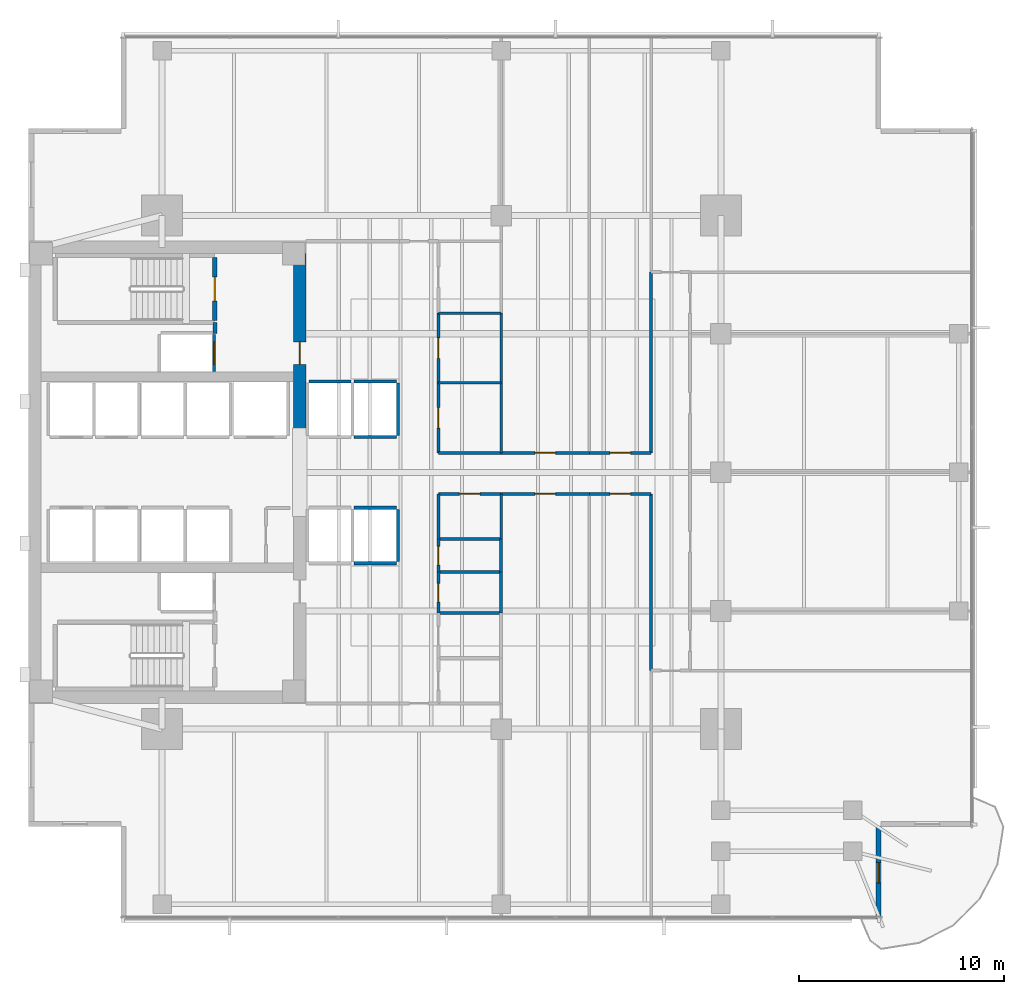
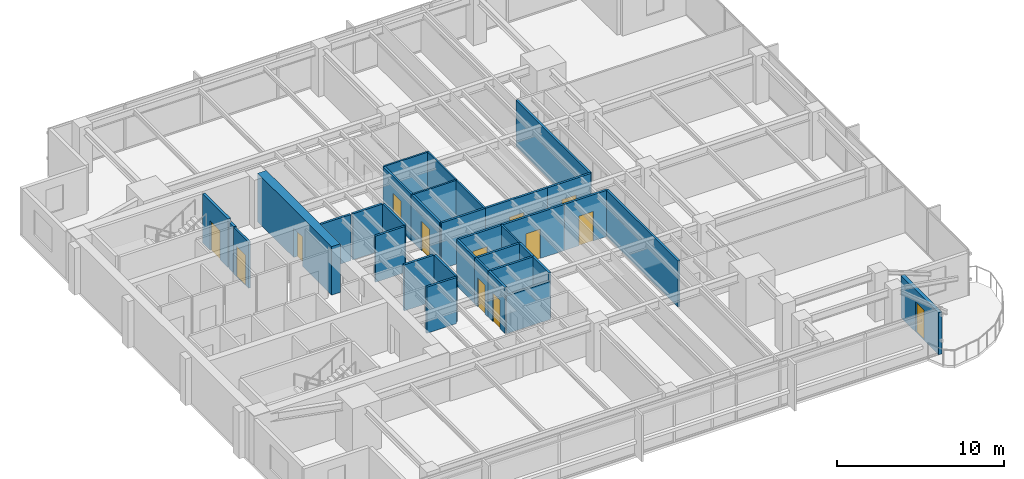
# One storey, part 9 of 14: 35 walls, 13 doors, 13 openings.
"""IFC4 building model written with IfcOpenShell, lengths in metres."""

from ifc_helpers import new_model, si_unit, direction, frame, frame_2d, origin, place, context, subcontext, project, spatial, rectangle, extrude, material, layer, layer_set, type_object, element, fill, save


model = new_model("IFC4")

# Units and contexts
model_context = context("Model", 3, precision=1e-05, world=origin(), true_north=direction((0.0, 1.0)))
body_context = subcontext(model_context, "Body", "Model", "MODEL_VIEW")
ifc_project = project(units=[si_unit("LENGTHUNIT", "METRE"), si_unit("AREAUNIT", "SQUARE_METRE"), si_unit("VOLUMEUNIT", "CUBIC_METRE"), si_unit("PLANEANGLEUNIT", "RADIAN"), si_unit("MASSUNIT", "GRAM", prefix="KILO")], contexts=[model_context])

# Site, building, storey
site_placement = place(None, origin())
site = spatial("IfcSite", under=ifc_project, at=site_placement, CompositionType="ELEMENT")
building_placement = place(site_placement, origin())
building = spatial("IfcBuilding", under=site, at=building_placement, Name="Kinhvarn Gate Tower", CompositionType="ELEMENT")
storey_placement = place(building_placement, frame((0.0, 0.0, 102.25)))
storey = spatial("IfcBuildingStorey", under=building, at=storey_placement, Name="L26", CompositionType="ELEMENT", Elevation=102.25)

# Wall, opening, door
ifc_material_1 = material(Name="Concrete C60/75", Category="concrete")
ifc_layer_1 = layer(ifc_material_1, 0.60009765625)
ifc_layer_set_1 = layer_set([ifc_layer_1], Name="Concrete C60/75")
wall_type_1 = type_object("IfcWallType", Name="WL-CORE-600", PredefinedType="SHEAR", material=ifc_layer_set_1)
wall_1_placement = place(storey_placement, frame((17.699951171875, 27.050048828125, 0.0), z_axis=(0.0, 0.0, 1.0), x_axis=(0.0, 1.0, 0.0)))
wall_1 = element("IfcWall", 1, at=wall_1_placement, inside=storey, type_object=wall_type_1, Name="Core East-North Shear Pier L26 600 mm", PredefinedType="SHEAR", context=body_context, shape_type="SweptSolid", body=[
    extrude(rectangle(XDim=8.849853515625, YDim=0.60009765625, at=frame_2d((4.4248046875, 0.0))), origin(), (0.0, 0.0, 1.0), 3.550048828125),
])
opening_1_placement = place(wall_1_placement, frame((3.449951171875, 0.0, 0.0)))
opening_1 = element("IfcOpeningElement", 2, at=opening_1_placement, cuts=wall_1, Name="Opening FD-02", PredefinedType="OPENING", context=body_context, shape_type="SweptSolid", body=[
    extrude(rectangle(XDim=1.10009765625, YDim=2.14990234375, at=frame_2d((0.550048828125, 1.074951171875))), frame((0.0, 0.31005859375, 0.0), z_axis=(0.0, -1.0, 0.0), x_axis=(1.0, 0.0, 0.0)), (0.0, 0.0, 1.0), 0.6201171875),
])
ifc_material_2 = material(Name="Anodised aluminium AW-6063", Category="aluminium")
door_type_1 = type_object("IfcDoorType", Name="DR-FD-1100", OperationType="NOTDEFINED", PredefinedType="DOOR", material=ifc_material_2)
door_1_placement = place(opening_1_placement, origin())
door_1 = element("IfcDoor", 3, at=door_1_placement, inside=storey, type_object=door_type_1, Name="Firefighting Lobby Core Door (L26)", OperationType="SINGLE_SWING_LEFT", OverallHeight=2.14990234375, OverallWidth=1.10009765625, PredefinedType="DOOR", context=body_context, shape_type="SweptSolid", body=[
    extrude(rectangle(XDim=1.10009765625, YDim=2.14990234375, at=frame_2d((0.550048828125, 1.074951171875))), frame((0.0, 0.02490234375, 0.0), z_axis=(0.0, -1.0, 0.0), x_axis=(1.0, 0.0, 0.0)), (0.0, 0.0, 1.0), 0.050048828125),
])
fill(opening_1, door_1)

ifc_material_3 = material(Name="Fired architectural terracotta", Category="masonry")
ifc_layer_2 = layer(ifc_material_3, 0.25)
ifc_layer_set_2 = layer_set([ifc_layer_2], Name="Fired architectural terracotta")
wall_type_2 = type_object("IfcWallType", Name="WL-EXT-250", PredefinedType="SOLIDWALL", material=ifc_layer_set_2)
wall_2_placement = place(storey_placement, frame((45.875, 3.5, 0.0), z_axis=(0.0, 0.0, 1.0), x_axis=(0.0, 1.0, 0.0)))
wall_2 = element("IfcWall", 4, at=wall_2_placement, inside=storey, type_object=wall_type_2, Name="Exterior Solidwall Wall EW-250 (L26 SE-Notch-Door)", PredefinedType="SOLIDWALL", context=body_context, shape_type="SweptSolid", body=[
    extrude(rectangle(XDim=4.5, YDim=0.25, at=frame_2d((2.25, 0.0))), origin(), (0.0, 0.0, 1.0), 3.070068359375),
])
opening_2_placement = place(wall_2_placement, frame((1.75, 0.0, 0.0)))
opening_2 = element("IfcOpeningElement", 5, at=opening_2_placement, cuts=wall_2, Name="Opening BD-01", PredefinedType="OPENING", context=body_context, shape_type="SweptSolid", body=[
    extrude(rectangle(XDim=1.0, YDim=2.199951171875, at=frame_2d((0.5, 1.10009765625))), frame((0.0, 0.135009765625, 0.0), z_axis=(0.0, -1.0, 0.0), x_axis=(1.0, 0.0, 0.0)), (0.0, 0.0, 1.0), 0.27001953125),
])
ifc_material_4 = material(Name="Clear low-e double glazing", Category="glass")
door_type_2 = type_object("IfcDoorType", Name="DR-BAL-1000", OperationType="NOTDEFINED", PredefinedType="DOOR", material=ifc_material_4)
door_2_placement = place(opening_2_placement, frame((1.0, 0.0, 0.0), z_axis=(0.0, 0.0, 1.0), x_axis=(-1.0, 0.0, 0.0)))
door_2 = element("IfcDoor", 6, at=door_2_placement, inside=storey, type_object=door_type_2, Name="S-Carve Balcony Door BD-01 (L26)", OperationType="SINGLE_SWING_LEFT", OverallHeight=2.199951171875, OverallWidth=1.0, PredefinedType="DOOR", context=body_context, shape_type="SweptSolid", body=[
    extrude(rectangle(XDim=1.0, YDim=2.199951171875, at=frame_2d((0.5, 1.10009765625))), frame((0.0, 0.02490234375, 0.0), z_axis=(0.0, -1.0, 0.0), x_axis=(1.0, 0.0, 0.0)), (0.0, 0.0, 1.0), 0.050048828125),
])
fill(opening_2, door_2)

# Walls
ifc_material_5 = material(Name="Gypsum acoustic partition board")
ifc_layer_3 = layer(ifc_material_5, 0.14990234375)
ifc_layer_set_3 = layer_set([ifc_layer_3], Name="Gypsum acoustic partition board")
wall_type_3 = type_object("IfcWallType", Name="WL-PLM-150", PredefinedType="PLUMBINGWALL", material=ifc_layer_set_3)
wall_3_placement = place(storey_placement, frame((24.449951171875, 18.39990234375, 0.0), z_axis=(0.0, 0.0, 1.0), x_axis=(1.0, 0.0, 0.0)))
element("IfcWall", 7, at=wall_3_placement, inside=storey, type_object=wall_type_3, Name="Interior Partition PLW-150 (L26)", PredefinedType="PLUMBINGWALL", context=body_context, shape_type="SweptSolid", body=[
    extrude(rectangle(XDim=3.050048828125, YDim=0.14990234375, at=frame_2d((1.52490234375, 0.0))), origin(), (0.0, 0.0, 1.0), 2.77001953125),
])
wall_4_placement = place(storey_placement, frame((24.449951171875, 20.39990234375, 0.0), z_axis=(0.0, 0.0, 1.0), x_axis=(1.0, 0.0, 0.0)))
element("IfcWall", 8, at=wall_4_placement, inside=storey, type_object=wall_type_3, Name="Interior Partition PLW-150 (L26)", PredefinedType="PLUMBINGWALL", context=body_context, shape_type="SweptSolid", body=[
    extrude(rectangle(XDim=3.050048828125, YDim=0.14990234375, at=frame_2d((1.52490234375, 0.0))), origin(), (0.0, 0.0, 1.0), 3.3701171875),
])
wall_5_placement = place(storey_placement, frame((27.5, 18.39990234375, 0.0), z_axis=(0.0, 0.0, 1.0), x_axis=(0.0, 1.0, 0.0)))
element("IfcWall", 9, at=wall_5_placement, inside=storey, type_object=wall_type_3, Name="Interior Partition PLW-150 (L26)", PredefinedType="PLUMBINGWALL", context=body_context, shape_type="SweptSolid", body=[
    extrude(rectangle(XDim=2.0, YDim=0.14990234375, at=frame_2d((1.0, 0.0))), origin(), (0.0, 0.0, 1.0), 3.3701171875),
])
wall_6_placement = place(storey_placement, frame((24.449951171875, 22.0, 0.0), z_axis=(0.0, 0.0, 1.0), x_axis=(1.0, 0.0, 0.0)))
element("IfcWall", 10, at=wall_6_placement, inside=storey, type_object=wall_type_3, Name="Interior Partition PLW-150 (L26)", PredefinedType="PLUMBINGWALL", context=body_context, shape_type="SweptSolid", body=[
    extrude(rectangle(XDim=3.050048828125, YDim=0.14990234375, at=frame_2d((1.52490234375, 0.0))), origin(), (0.0, 0.0, 1.0), 3.3701171875),
])
wall_7_placement = place(storey_placement, frame((27.5, 20.39990234375, 0.0), z_axis=(0.0, 0.0, 1.0), x_axis=(0.0, 1.0, 0.0)))
element("IfcWall", 11, at=wall_7_placement, inside=storey, type_object=wall_type_3, Name="Interior Partition PLW-150 (L26)", PredefinedType="PLUMBINGWALL", context=body_context, shape_type="SweptSolid", body=[
    extrude(rectangle(XDim=1.60009765625, YDim=0.14990234375, at=frame_2d((0.800048828125, 0.0))), origin(), (0.0, 0.0, 1.0), 3.3701171875),
])

# Wall, opening, door
ifc_layer_4 = layer(ifc_material_5, 0.14990234375)
ifc_layer_set_4 = layer_set([ifc_layer_4], Name="Gypsum acoustic partition board")
wall_type_4 = type_object("IfcWallType", Name="WL-PLM-150F", PredefinedType="PLUMBINGWALL", material=ifc_layer_set_4)
wall_8_placement = place(storey_placement, frame((24.449951171875, 18.39990234375, 0.0), z_axis=(0.0, 0.0, 1.0), x_axis=(0.0, 1.0, 0.0)))
wall_8 = element("IfcWall", 12, at=wall_8_placement, inside=storey, type_object=wall_type_4, Name="Interior Partition PLW-150F (L26)", PredefinedType="PLUMBINGWALL", context=body_context, shape_type="SweptSolid", body=[
    extrude(rectangle(XDim=2.0, YDim=0.14990234375, at=frame_2d((1.0, 0.0))), origin(), (0.0, 0.0, 1.0), 3.3701171875),
])
opening_3_placement = place(wall_8_placement, frame((0.550048828125, 0.0, 0.0)))
opening_3 = element("IfcOpeningElement", 13, at=opening_3_placement, cuts=wall_8, Name="Opening FD-04", PredefinedType="OPENING", context=body_context, shape_type="SweptSolid", body=[
    extrude(rectangle(XDim=0.89990234375, YDim=2.10009765625, at=frame_2d((0.449951171875, 1.050048828125))), frame((0.0, 0.0849609375, 0.0), z_axis=(0.0, -1.0, 0.0), x_axis=(1.0, 0.0, 0.0)), (0.0, 0.0, 1.0), 0.169921875),
])
door_type_3 = type_object("IfcDoorType", Name="DR-FD-900", OperationType="NOTDEFINED", PredefinedType="DOOR", material=ifc_material_2)
door_3_placement = place(opening_3_placement, origin())
door_3 = element("IfcDoor", 14, at=door_3_placement, inside=storey, type_object=door_type_3, Name="Rated Riser & Service Closet Fire Door 900x2100 mm (L26)", OperationType="SINGLE_SWING_RIGHT", OverallHeight=2.10009765625, OverallWidth=0.89990234375, PredefinedType="DOOR", context=body_context, shape_type="SweptSolid", body=[
    extrude(rectangle(XDim=0.89990234375, YDim=2.10009765625, at=frame_2d((0.449951171875, 1.050048828125))), frame((0.0, 0.02490234375, 0.0), z_axis=(0.0, -1.0, 0.0), x_axis=(1.0, 0.0, 0.0)), (0.0, 0.0, 1.0), 0.050048828125),
])
fill(opening_3, door_3)

wall_9_placement = place(storey_placement, frame((24.449951171875, 20.39990234375, 0.0), z_axis=(0.0, 0.0, 1.0), x_axis=(0.0, 1.0, 0.0)))
wall_9 = element("IfcWall", 15, at=wall_9_placement, inside=storey, type_object=wall_type_4, Name="Interior Partition PLW-150F (L26)", PredefinedType="PLUMBINGWALL", context=body_context, shape_type="SweptSolid", body=[
    extrude(rectangle(XDim=1.60009765625, YDim=0.14990234375, at=frame_2d((0.800048828125, 0.0))), origin(), (0.0, 0.0, 1.0), 3.3701171875),
])
opening_4_placement = place(wall_9_placement, frame((0.35009765625, 0.0, 0.0)))
opening_4 = element("IfcOpeningElement", 16, at=opening_4_placement, cuts=wall_9, Name="Opening FD-04", PredefinedType="OPENING", context=body_context, shape_type="SweptSolid", body=[
    extrude(rectangle(XDim=0.89990234375, YDim=2.10009765625, at=frame_2d((0.449951171875, 1.050048828125))), frame((0.0, 0.0849609375, 0.0), z_axis=(0.0, -1.0, 0.0), x_axis=(1.0, 0.0, 0.0)), (0.0, 0.0, 1.0), 0.169921875),
])
door_4_placement = place(opening_4_placement, origin())
door_4 = element("IfcDoor", 17, at=door_4_placement, inside=storey, type_object=door_type_3, Name="Rated Riser & Service Closet Fire Door 900x2100 mm (L26)", OperationType="SINGLE_SWING_LEFT", OverallHeight=2.10009765625, OverallWidth=0.89990234375, PredefinedType="DOOR", context=body_context, shape_type="SweptSolid", body=[
    extrude(rectangle(XDim=0.89990234375, YDim=2.10009765625, at=frame_2d((0.449951171875, 1.050048828125))), frame((0.0, 0.02490234375, 0.0), z_axis=(0.0, -1.0, 0.0), x_axis=(1.0, 0.0, 0.0)), (0.0, 0.0, 1.0), 0.050048828125),
])
fill(opening_4, door_4)

# Walls
ifc_layer_5 = layer(ifc_material_5, 0.1201171875)
ifc_layer_set_5 = layer_set([ifc_layer_5], Name="Gypsum acoustic partition board")
wall_type_5 = type_object("IfcWallType", Name="WL-PRT-120", PredefinedType="PARTITIONING", material=ifc_layer_set_5)
wall_10_placement = place(storey_placement, frame((27.5, 22.0, 0.0), z_axis=(0.0, 0.0, 1.0), x_axis=(0.0, 1.0, 0.0)))
element("IfcWall", 18, at=wall_10_placement, inside=storey, type_object=wall_type_5, Name="Interior Partition PW-120 (L26)", PredefinedType="PARTITIONING", context=body_context, shape_type="SweptSolid", body=[
    extrude(rectangle(XDim=2.199951171875, YDim=0.1201171875, at=frame_2d((1.10009765625, 0.0))), origin(), (0.0, 0.0, 1.0), 3.3701171875),
])
wall_11_placement = place(storey_placement, frame((24.449951171875, 29.60009765625, 0.0), z_axis=(0.0, 0.0, 1.0), x_axis=(1.0, 0.0, 0.0)))
element("IfcWall", 19, at=wall_11_placement, inside=storey, type_object=wall_type_5, Name="Interior Partition PW-120 (L26)", PredefinedType="PARTITIONING", context=body_context, shape_type="SweptSolid", body=[
    extrude(rectangle(XDim=3.050048828125, YDim=0.1201171875, at=frame_2d((1.52490234375, 0.0))), origin(), (0.0, 0.0, 1.0), 3.3701171875),
])
wall_12_placement = place(storey_placement, frame((27.5, 26.199951171875, 0.0), z_axis=(0.0, 0.0, 1.0), x_axis=(0.0, 1.0, 0.0)))
element("IfcWall", 20, at=wall_12_placement, inside=storey, type_object=wall_type_5, Name="Interior Partition PW-120 (L26)", PredefinedType="PARTITIONING", context=body_context, shape_type="SweptSolid", body=[
    extrude(rectangle(XDim=3.400146484375, YDim=0.1201171875, at=frame_2d((1.7001953125, 0.0))), origin(), (0.0, 0.0, 1.0), 3.3701171875),
])
wall_13_placement = place(storey_placement, frame((24.449951171875, 33.0, 0.0), z_axis=(0.0, 0.0, 1.0), x_axis=(1.0, 0.0, 0.0)))
element("IfcWall", 21, at=wall_13_placement, inside=storey, type_object=wall_type_5, Name="Interior Partition PW-120 (L26)", PredefinedType="PARTITIONING", context=body_context, shape_type="SweptSolid", body=[
    extrude(rectangle(XDim=3.050048828125, YDim=0.1201171875, at=frame_2d((1.52490234375, 0.0))), origin(), (0.0, 0.0, 1.0), 3.3701171875),
])
wall_14_placement = place(storey_placement, frame((27.5, 29.60009765625, 0.0), z_axis=(0.0, 0.0, 1.0), x_axis=(0.0, 1.0, 0.0)))
element("IfcWall", 22, at=wall_14_placement, inside=storey, type_object=wall_type_5, Name="Interior Partition PW-120 (L26)", PredefinedType="PARTITIONING", context=body_context, shape_type="SweptSolid", body=[
    extrude(rectangle(XDim=3.39990234375, YDim=0.1201171875, at=frame_2d((1.699951171875, 0.0))), origin(), (0.0, 0.0, 1.0), 3.3701171875),
])
ifc_layer_6 = layer(ifc_material_5, 0.14990234375)
ifc_layer_set_6 = layer_set([ifc_layer_6], Name="Gypsum acoustic partition board")
wall_type_6 = type_object("IfcWallType", Name="WL-PRT-150F", PredefinedType="PARTITIONING", material=ifc_layer_set_6)
wall_15_placement = place(storey_placement, frame((24.449951171875, 22.0, 0.0), z_axis=(0.0, 0.0, 1.0), x_axis=(0.0, 1.0, 0.0)))
element("IfcWall", 23, at=wall_15_placement, inside=storey, type_object=wall_type_6, Name="Interior Partition PW-150F (L26)", PredefinedType="PARTITIONING", context=body_context, shape_type="SweptSolid", body=[
    extrude(rectangle(XDim=2.199951171875, YDim=0.14990234375, at=frame_2d((1.10009765625, 0.0))), origin(), (0.0, 0.0, 1.0), 3.3701171875),
])

# Wall, opening, door
wall_16_placement = place(storey_placement, frame((24.449951171875, 26.199951171875, 0.0), z_axis=(0.0, 0.0, 1.0), x_axis=(0.0, 1.0, 0.0)))
wall_16 = element("IfcWall", 24, at=wall_16_placement, inside=storey, type_object=wall_type_6, Name="Interior Partition PW-150F (L26)", PredefinedType="PARTITIONING", context=body_context, shape_type="SweptSolid", body=[
    extrude(rectangle(XDim=3.400146484375, YDim=0.14990234375, at=frame_2d((1.7001953125, 0.0))), origin(), (0.0, 0.0, 1.0), 3.3701171875),
])
opening_5_placement = place(wall_16_placement, frame((1.199951171875, 0.0, 0.0)))
opening_5 = element("IfcOpeningElement", 25, at=opening_5_placement, cuts=wall_16, Name="Opening ID-02", PredefinedType="OPENING", context=body_context, shape_type="SweptSolid", body=[
    extrude(rectangle(XDim=1.0, YDim=2.14990234375, at=frame_2d((0.5, 1.074951171875))), frame((0.0, 0.0849609375, 0.0), z_axis=(0.0, -1.0, 0.0), x_axis=(1.0, 0.0, 0.0)), (0.0, 0.0, 1.0), 0.169921875),
])
door_type_4 = type_object("IfcDoorType", Name="DR-INT-1000", OperationType="NOTDEFINED", PredefinedType="DOOR", material=ifc_material_2)
door_5_placement = place(opening_5_placement, origin())
door_5 = element("IfcDoor", 26, at=door_5_placement, inside=storey, type_object=door_type_4, Name="Standard Office & Meeting Room Door 1000x2150 mm (L26)", OperationType="SINGLE_SWING_RIGHT", OverallHeight=2.14990234375, OverallWidth=1.0, PredefinedType="DOOR", context=body_context, shape_type="SweptSolid", body=[
    extrude(rectangle(XDim=1.0, YDim=2.14990234375, at=frame_2d((0.5, 1.074951171875))), frame((0.0, 0.02490234375, 0.0), z_axis=(0.0, -1.0, 0.0), x_axis=(1.0, 0.0, 0.0)), (0.0, 0.0, 1.0), 0.050048828125),
])
fill(opening_5, door_5)

wall_17_placement = place(storey_placement, frame((24.449951171875, 29.60009765625, 0.0), z_axis=(0.0, 0.0, 1.0), x_axis=(0.0, 1.0, 0.0)))
wall_17 = element("IfcWall", 27, at=wall_17_placement, inside=storey, type_object=wall_type_6, Name="Interior Partition PW-150F (L26)", PredefinedType="PARTITIONING", context=body_context, shape_type="SweptSolid", body=[
    extrude(rectangle(XDim=3.39990234375, YDim=0.14990234375, at=frame_2d((1.699951171875, 0.0))), origin(), (0.0, 0.0, 1.0), 3.3701171875),
])
opening_6_placement = place(wall_17_placement, frame((1.199951171875, 0.0, 0.0)))
opening_6 = element("IfcOpeningElement", 28, at=opening_6_placement, cuts=wall_17, Name="Opening ID-02", PredefinedType="OPENING", context=body_context, shape_type="SweptSolid", body=[
    extrude(rectangle(XDim=1.0, YDim=2.14990234375, at=frame_2d((0.5, 1.074951171875))), frame((0.0, 0.0849609375, 0.0), z_axis=(0.0, -1.0, 0.0), x_axis=(1.0, 0.0, 0.0)), (0.0, 0.0, 1.0), 0.169921875),
])
door_6_placement = place(opening_6_placement, origin())
door_6 = element("IfcDoor", 29, at=door_6_placement, inside=storey, type_object=door_type_4, Name="Standard Office & Meeting Room Door 1000x2150 mm (L26)", OperationType="SINGLE_SWING_LEFT", OverallHeight=2.14990234375, OverallWidth=1.0, PredefinedType="DOOR", context=body_context, shape_type="SweptSolid", body=[
    extrude(rectangle(XDim=1.0, YDim=2.14990234375, at=frame_2d((0.5, 1.074951171875))), frame((0.0, 0.02490234375, 0.0), z_axis=(0.0, -1.0, 0.0), x_axis=(1.0, 0.0, 0.0)), (0.0, 0.0, 1.0), 0.050048828125),
])
fill(opening_6, door_6)

wall_18_placement = place(storey_placement, frame((24.449951171875, 24.199951171875, 0.0), z_axis=(0.0, 0.0, 1.0), x_axis=(1.0, 0.0, 0.0)))
wall_18 = element("IfcWall", 30, at=wall_18_placement, inside=storey, type_object=wall_type_6, Name="Interior Partition PW-150F (L26)", PredefinedType="PARTITIONING", context=body_context, shape_type="SweptSolid", body=[
    extrude(rectangle(XDim=3.050048828125, YDim=0.14990234375, at=frame_2d((1.52490234375, 0.0))), origin(), (0.0, 0.0, 1.0), 3.3701171875),
])
opening_7_placement = place(wall_18_placement, frame((1.02490234375, 0.0, 0.0)))
opening_7 = element("IfcOpeningElement", 31, at=opening_7_placement, cuts=wall_18, Name="Opening ID-02", PredefinedType="OPENING", context=body_context, shape_type="SweptSolid", body=[
    extrude(rectangle(XDim=1.0, YDim=2.14990234375, at=frame_2d((0.5, 1.074951171875))), frame((0.0, 0.0849609375, 0.0), z_axis=(0.0, -1.0, 0.0), x_axis=(1.0, 0.0, 0.0)), (0.0, 0.0, 1.0), 0.169921875),
])
door_7_placement = place(opening_7_placement, origin())
door_7 = element("IfcDoor", 32, at=door_7_placement, inside=storey, type_object=door_type_4, Name="Standard Office & Meeting Room Door 1000x2150 mm (L26)", OperationType="SINGLE_SWING_LEFT", OverallHeight=2.14990234375, OverallWidth=1.0, PredefinedType="DOOR", context=body_context, shape_type="SweptSolid", body=[
    extrude(rectangle(XDim=1.0, YDim=2.14990234375, at=frame_2d((0.5, 1.074951171875))), frame((0.0, 0.02490234375, 0.0), z_axis=(0.0, -1.0, 0.0), x_axis=(1.0, 0.0, 0.0)), (0.0, 0.0, 1.0), 0.050048828125),
])
fill(opening_7, door_7)

# Wall
wall_19_placement = place(storey_placement, frame((24.449951171875, 26.199951171875, 0.0), z_axis=(0.0, 0.0, 1.0), x_axis=(1.0, 0.0, 0.0)))
element("IfcWall", 33, at=wall_19_placement, inside=storey, type_object=wall_type_6, Name="Interior Partition PW-150F (L26)", PredefinedType="PARTITIONING", context=body_context, shape_type="SweptSolid", body=[
    extrude(rectangle(XDim=3.050048828125, YDim=0.14990234375, at=frame_2d((1.52490234375, 0.0))), origin(), (0.0, 0.0, 1.0), 3.3701171875),
])

# Wall, opening, door
wall_20_placement = place(storey_placement, frame((27.5, 24.199951171875, 0.0), z_axis=(0.0, 0.0, 1.0), x_axis=(1.0, 0.0, 0.0)))
wall_20 = element("IfcWall", 34, at=wall_20_placement, inside=storey, type_object=wall_type_6, Name="Interior Partition PW-150F (L26)", PredefinedType="PARTITIONING", context=body_context, shape_type="SweptSolid", body=[
    extrude(rectangle(XDim=4.300048828125, YDim=0.14990234375, at=frame_2d((2.14990234375, 0.0))), origin(), (0.0, 0.0, 1.0), 3.3701171875),
])
opening_8_placement = place(wall_20_placement, frame((1.64990234375, 0.0, 0.0)))
opening_8 = element("IfcOpeningElement", 35, at=opening_8_placement, cuts=wall_20, Name="Opening ID-02", PredefinedType="OPENING", context=body_context, shape_type="SweptSolid", body=[
    extrude(rectangle(XDim=1.0, YDim=2.14990234375, at=frame_2d((0.5, 1.074951171875))), frame((0.0, 0.0849609375, 0.0), z_axis=(0.0, -1.0, 0.0), x_axis=(1.0, 0.0, 0.0)), (0.0, 0.0, 1.0), 0.169921875),
])
door_8_placement = place(opening_8_placement, origin())
door_8 = element("IfcDoor", 36, at=door_8_placement, inside=storey, type_object=door_type_4, Name="Standard Office & Meeting Room Door 1000x2150 mm (L26)", OperationType="SINGLE_SWING_RIGHT", OverallHeight=2.14990234375, OverallWidth=1.0, PredefinedType="DOOR", context=body_context, shape_type="SweptSolid", body=[
    extrude(rectangle(XDim=1.0, YDim=2.14990234375, at=frame_2d((0.5, 1.074951171875))), frame((0.0, 0.02490234375, 0.0), z_axis=(0.0, -1.0, 0.0), x_axis=(1.0, 0.0, 0.0)), (0.0, 0.0, 1.0), 0.050048828125),
])
fill(opening_8, door_8)

wall_21_placement = place(storey_placement, frame((31.800048828125, 24.199951171875, 0.0), z_axis=(0.0, 0.0, 1.0), x_axis=(1.0, 0.0, 0.0)))
wall_21 = element("IfcWall", 37, at=wall_21_placement, inside=storey, type_object=wall_type_6, Name="Interior Partition PW-150F (L26)", PredefinedType="PARTITIONING", context=body_context, shape_type="SweptSolid", body=[
    extrude(rectangle(XDim=3.0, YDim=0.14990234375, at=frame_2d((1.5, 0.0))), origin(), (0.0, 0.0, 1.0), 3.3701171875),
])
opening_9_placement = place(wall_21_placement, frame((1.0, 0.0, 0.0)))
opening_9 = element("IfcOpeningElement", 38, at=opening_9_placement, cuts=wall_21, Name="Opening ID-02", PredefinedType="OPENING", context=body_context, shape_type="SweptSolid", body=[
    extrude(rectangle(XDim=1.0, YDim=2.14990234375, at=frame_2d((0.5, 1.074951171875))), frame((0.0, 0.0849609375, 0.0), z_axis=(0.0, -1.0, 0.0), x_axis=(1.0, 0.0, 0.0)), (0.0, 0.0, 1.0), 0.169921875),
])
door_9_placement = place(opening_9_placement, origin())
door_9 = element("IfcDoor", 39, at=door_9_placement, inside=storey, type_object=door_type_4, Name="Standard Office & Meeting Room Door 1000x2150 mm (L26)", OperationType="SINGLE_SWING_LEFT", OverallHeight=2.14990234375, OverallWidth=1.0, PredefinedType="DOOR", context=body_context, shape_type="SweptSolid", body=[
    extrude(rectangle(XDim=1.0, YDim=2.14990234375, at=frame_2d((0.5, 1.074951171875))), frame((0.0, 0.02490234375, 0.0), z_axis=(0.0, -1.0, 0.0), x_axis=(1.0, 0.0, 0.0)), (0.0, 0.0, 1.0), 0.050048828125),
])
fill(opening_9, door_9)

wall_22_placement = place(storey_placement, frame((27.5, 26.199951171875, 0.0), z_axis=(0.0, 0.0, 1.0), x_axis=(1.0, 0.0, 0.0)))
wall_22 = element("IfcWall", 40, at=wall_22_placement, inside=storey, type_object=wall_type_6, Name="Interior Partition PW-150F (L26)", PredefinedType="PARTITIONING", context=body_context, shape_type="SweptSolid", body=[
    extrude(rectangle(XDim=4.300048828125, YDim=0.14990234375, at=frame_2d((2.14990234375, 0.0))), origin(), (0.0, 0.0, 1.0), 3.3701171875),
])
opening_10_placement = place(wall_22_placement, frame((1.64990234375, 0.0, 0.0)))
opening_10 = element("IfcOpeningElement", 41, at=opening_10_placement, cuts=wall_22, Name="Opening ID-02", PredefinedType="OPENING", context=body_context, shape_type="SweptSolid", body=[
    extrude(rectangle(XDim=1.0, YDim=2.14990234375, at=frame_2d((0.5, 1.074951171875))), frame((0.0, 0.0849609375, 0.0), z_axis=(0.0, -1.0, 0.0), x_axis=(1.0, 0.0, 0.0)), (0.0, 0.0, 1.0), 0.169921875),
])
door_10_placement = place(opening_10_placement, origin())
door_10 = element("IfcDoor", 42, at=door_10_placement, inside=storey, type_object=door_type_4, Name="Standard Office & Meeting Room Door 1000x2150 mm (L26)", OperationType="SINGLE_SWING_RIGHT", OverallHeight=2.14990234375, OverallWidth=1.0, PredefinedType="DOOR", context=body_context, shape_type="SweptSolid", body=[
    extrude(rectangle(XDim=1.0, YDim=2.14990234375, at=frame_2d((0.5, 1.074951171875))), frame((0.0, 0.02490234375, 0.0), z_axis=(0.0, -1.0, 0.0), x_axis=(1.0, 0.0, 0.0)), (0.0, 0.0, 1.0), 0.050048828125),
])
fill(opening_10, door_10)

wall_23_placement = place(storey_placement, frame((31.800048828125, 26.199951171875, 0.0), z_axis=(0.0, 0.0, 1.0), x_axis=(1.0, 0.0, 0.0)))
wall_23 = element("IfcWall", 43, at=wall_23_placement, inside=storey, type_object=wall_type_6, Name="Interior Partition PW-150F (L26)", PredefinedType="PARTITIONING", context=body_context, shape_type="SweptSolid", body=[
    extrude(rectangle(XDim=3.0, YDim=0.14990234375, at=frame_2d((1.5, 0.0))), origin(), (0.0, 0.0, 1.0), 3.3701171875),
])
opening_11_placement = place(wall_23_placement, frame((1.0, 0.0, 0.0)))
opening_11 = element("IfcOpeningElement", 44, at=opening_11_placement, cuts=wall_23, Name="Opening ID-02", PredefinedType="OPENING", context=body_context, shape_type="SweptSolid", body=[
    extrude(rectangle(XDim=1.0, YDim=2.14990234375, at=frame_2d((0.5, 1.074951171875))), frame((0.0, 0.0849609375, 0.0), z_axis=(0.0, -1.0, 0.0), x_axis=(1.0, 0.0, 0.0)), (0.0, 0.0, 1.0), 0.169921875),
])
door_11_placement = place(opening_11_placement, origin())
door_11 = element("IfcDoor", 45, at=door_11_placement, inside=storey, type_object=door_type_4, Name="Standard Office & Meeting Room Door 1000x2150 mm (L26)", OperationType="SINGLE_SWING_LEFT", OverallHeight=2.14990234375, OverallWidth=1.0, PredefinedType="DOOR", context=body_context, shape_type="SweptSolid", body=[
    extrude(rectangle(XDim=1.0, YDim=2.14990234375, at=frame_2d((0.5, 1.074951171875))), frame((0.0, 0.02490234375, 0.0), z_axis=(0.0, -1.0, 0.0), x_axis=(1.0, 0.0, 0.0)), (0.0, 0.0, 1.0), 0.050048828125),
])
fill(opening_11, door_11)

# Walls
wall_24_placement = place(storey_placement, frame((34.800048828125, 15.60009765625, 0.0), z_axis=(0.0, 0.0, 1.0), x_axis=(0.0, 1.0, 0.0)))
element("IfcWall", 46, at=wall_24_placement, inside=storey, type_object=wall_type_6, Name="Interior Partition PW-150F (L26)", PredefinedType="PARTITIONING", context=body_context, shape_type="SweptSolid", body=[
    extrude(rectangle(XDim=8.599853515625, YDim=0.14990234375, at=frame_2d((4.2998046875, 0.0))), origin(), (0.0, 0.0, 1.0), 3.3701171875),
])
wall_25_placement = place(storey_placement, frame((34.800048828125, 26.199951171875, 0.0), z_axis=(0.0, 0.0, 1.0), x_axis=(0.0, 1.0, 0.0)))
element("IfcWall", 47, at=wall_25_placement, inside=storey, type_object=wall_type_6, Name="Interior Partition PW-150F (L26)", PredefinedType="PARTITIONING", context=body_context, shape_type="SweptSolid", body=[
    extrude(rectangle(XDim=8.800048828125, YDim=0.14990234375, at=frame_2d((4.39990234375, 0.0))), origin(), (0.0, 0.0, 1.0), 3.3701171875),
])
ifc_layer_7 = layer(ifc_material_5, 0.199951171875)
ifc_layer_set_7 = layer_set([ifc_layer_7], Name="Gypsum acoustic partition board")
wall_type_7 = type_object("IfcWallType", Name="WL-PRT-200", PredefinedType="PARTITIONING", material=ifc_layer_set_7)
wall_26_placement = place(storey_placement, frame((13.580078125, 32.0, 0.0), z_axis=(0.0, 0.0, 1.0), x_axis=(0.0, 1.0, 0.0)))
element("IfcWall", 48, at=wall_26_placement, inside=storey, type_object=wall_type_7, Name="Interior Partition PW-200 (L26)", PredefinedType="PARTITIONING", context=body_context, shape_type="SweptSolid", body=[
    extrude(rectangle(XDim=0.5400390625, YDim=0.199951171875, at=frame_2d((0.27001953125, 0.0))), origin(), (0.0, 0.0, 1.0), 3.3701171875),
])
ifc_layer_8 = layer(ifc_material_5, 0.14990234375)
ifc_layer_set_8 = layer_set([ifc_layer_8], Name="Gypsum acoustic partition board")
wall_type_8 = type_object("IfcWallType", Name="WL-SHF-150", PredefinedType="PARTITIONING", material=ifc_layer_set_8)
for number, where, z_axis, x_axis, name in (
    (49, (20.35009765625, 20.824951171875, 0.0), (0.0, 0.0, 1.0), (1.0, 0.0, 0.0), "Elevator PL-02 Hoistway Wall S (L26)"),
    (50, (20.35009765625, 23.52490234375, 0.0), (0.0, 0.0, 1.0), (1.0, 0.0, 0.0), "Elevator PL-02 Landing Wall (L26)"),
):
    element("IfcWall", number, at=place(storey_placement, frame(where, z_axis=z_axis, x_axis=x_axis)), inside=storey, type_object=wall_type_8, Name=name, PredefinedType="PARTITIONING", context=body_context, shape_type="SweptSolid", body=[
        extrude(rectangle(XDim=2.0498046875, YDim=0.14990234375, at=frame_2d((1.02490234375, 0.0))), origin(), (0.0, 0.0, 1.0), 3.3701171875),
    ])
wall_27_placement = place(storey_placement, frame((22.47509765625, 20.89990234375, 0.0), z_axis=(0.0, 0.0, 1.0), x_axis=(0.0, 1.0, 0.0)))
element("IfcWall", 51, at=wall_27_placement, inside=storey, type_object=wall_type_8, Name="Elevator PL-02 Hoistway Wall E (L26)", PredefinedType="PARTITIONING", context=body_context, shape_type="SweptSolid", body=[
    extrude(rectangle(XDim=2.550048828125, YDim=0.14990234375, at=frame_2d((1.27490234375, 0.0))), origin(), (0.0, 0.0, 1.0), 3.3701171875),
])
wall_28_placement = place(storey_placement, frame((18.14990234375, 29.675048828125, 0.0), z_axis=(0.0, 0.0, 1.0), x_axis=(1.0, 0.0, 0.0)))
element("IfcWall", 52, at=wall_28_placement, inside=storey, type_object=wall_type_8, Name="Elevator PL-03 Hoistway Wall N (L26)", PredefinedType="PARTITIONING", context=body_context, shape_type="SweptSolid", body=[
    extrude(rectangle(XDim=2.050048828125, YDim=0.14990234375, at=frame_2d((1.02490234375, 0.0))), origin(), (0.0, 0.0, 1.0), 3.3701171875),
])
for number, where, z_axis, x_axis, name in (
    (53, (20.35009765625, 26.97509765625, 0.0), (0.0, 0.0, 1.0), (1.0, 0.0, 0.0), "Elevator PL-04 Landing Wall (L26)"),
    (54, (20.35009765625, 29.675048828125, 0.0), (0.0, 0.0, 1.0), (1.0, 0.0, 0.0), "Elevator PL-04 Hoistway Wall N (L26)"),
):
    element("IfcWall", number, at=place(storey_placement, frame(where, z_axis=z_axis, x_axis=x_axis)), inside=storey, type_object=wall_type_8, Name=name, PredefinedType="PARTITIONING", context=body_context, shape_type="SweptSolid", body=[
        extrude(rectangle(XDim=2.0498046875, YDim=0.14990234375, at=frame_2d((1.02490234375, 0.0))), origin(), (0.0, 0.0, 1.0), 3.3701171875),
    ])
wall_29_placement = place(storey_placement, frame((22.47509765625, 27.050048828125, 0.0), z_axis=(0.0, 0.0, 1.0), x_axis=(0.0, 1.0, 0.0)))
element("IfcWall", 55, at=wall_29_placement, inside=storey, type_object=wall_type_8, Name="Elevator PL-04 Hoistway Wall E (L26)", PredefinedType="PARTITIONING", context=body_context, shape_type="SweptSolid", body=[
    extrude(rectangle(XDim=2.550048828125, YDim=0.14990234375, at=frame_2d((1.27490234375, 0.0))), origin(), (0.0, 0.0, 1.0), 3.3701171875),
])

# Wall, opening, door
wall_30_placement = place(storey_placement, frame((13.52490234375, 30.14990234375, 0.0), z_axis=(0.0, 0.0, 1.0), x_axis=(0.0, 1.0, 0.0)))
wall_30 = element("IfcWall", 56, at=wall_30_placement, inside=storey, type_object=wall_type_8, Name="Elevator FF2 Landing Wall (L26)", PredefinedType="PARTITIONING", context=body_context, shape_type="SweptSolid", body=[
    extrude(rectangle(XDim=1.800048828125, YDim=0.14990234375, at=frame_2d((0.89990234375, 0.0))), origin(), (0.0, 0.0, 1.0), 3.3701171875),
])
opening_12_placement = place(wall_30_placement, frame((0.35009765625, 0.0, 0.0)))
opening_12 = element("IfcOpeningElement", 57, at=opening_12_placement, cuts=wall_30, Name="Opening LD-03", PredefinedType="OPENING", context=body_context, shape_type="SweptSolid", body=[
    extrude(rectangle(XDim=1.10009765625, YDim=2.199951171875, at=frame_2d((0.550048828125, 1.10009765625))), frame((0.0, 0.0849609375, 0.0), z_axis=(0.0, -1.0, 0.0), x_axis=(1.0, 0.0, 0.0)), (0.0, 0.0, 1.0), 0.169921875),
])
door_type_5 = type_object("IfcDoorType", Name="DR-LND-FF", OperationType="NOTDEFINED", PredefinedType="DOOR", material=ifc_material_2)
door_12_placement = place(opening_12_placement, origin())
door_12 = element("IfcDoor", 58, at=door_12_placement, inside=storey, type_object=door_type_5, Name="Elevator FF2 Sliding Landing Door (L26)", OperationType="DOUBLE_DOOR_SLIDING", OverallHeight=2.199951171875, OverallWidth=1.10009765625, PredefinedType="DOOR", context=body_context, shape_type="SweptSolid", body=[
    extrude(rectangle(XDim=1.10009765625, YDim=2.199951171875, at=frame_2d((0.550048828125, 1.10009765625))), frame((0.0, 0.02490234375, 0.0), z_axis=(0.0, -1.0, 0.0), x_axis=(1.0, 0.0, 0.0)), (0.0, 0.0, 1.0), 0.050048828125),
])
fill(opening_12, door_12)

ifc_material_6 = material(Name="Concrete C40/50", Category="concrete")
ifc_layer_9 = layer(ifc_material_6, 0.199951171875)
ifc_layer_set_9 = layer_set([ifc_layer_9], Name="Concrete C40/50")
wall_type_9 = type_object("IfcWallType", Name="WL-SHF-200", PredefinedType="SOLIDWALL", material=ifc_layer_set_9)
wall_31_placement = place(storey_placement, frame((13.56005859375, 32.64990234375, 0.0), z_axis=(0.0, 0.0, 1.0), x_axis=(0.0, 1.0, 0.0)))
wall_31 = element("IfcWall", 59, at=wall_31_placement, inside=storey, type_object=wall_type_9, Name="Stair ST2 East Entry Wall (L26)", PredefinedType="SOLIDWALL", context=body_context, shape_type="SweptSolid", body=[
    extrude(rectangle(XDim=3.050048828125, YDim=0.199951171875, at=frame_2d((1.52490234375, 0.0))), origin(), (0.0, 0.0, 1.0), 3.550048828125),
])
opening_13_placement = place(wall_31_placement, frame((0.949951171875, 0.0, 0.0)))
opening_13 = element("IfcOpeningElement", 60, at=opening_13_placement, cuts=wall_31, Name="Opening FD-01", PredefinedType="OPENING", context=body_context, shape_type="SweptSolid", body=[
    extrude(rectangle(XDim=1.14990234375, YDim=2.14990234375, at=frame_2d((0.574951171875, 1.074951171875))), frame((0.0, 0.10986328125, 0.0), z_axis=(0.0, -1.0, 0.0), x_axis=(1.0, 0.0, 0.0)), (0.0, 0.0, 1.0), 0.219970703125),
])
door_type_6 = type_object("IfcDoorType", Name="DR-ST-1150", OperationType="NOTDEFINED", PredefinedType="DOOR", material=ifc_material_2)
door_13_placement = place(opening_13_placement, origin())
door_13 = element("IfcDoor", 61, at=door_13_placement, inside=storey, type_object=door_type_6, Name="Exit Stair ST2 Fire Door (L26)", OperationType="SINGLE_SWING_LEFT", OverallHeight=2.14990234375, OverallWidth=1.14990234375, PredefinedType="DOOR", context=body_context, shape_type="SweptSolid", body=[
    extrude(rectangle(XDim=1.14990234375, YDim=2.14990234375, at=frame_2d((0.574951171875, 1.074951171875))), frame((0.0, 0.02490234375, 0.0), z_axis=(0.0, -1.0, 0.0), x_axis=(1.0, 0.0, 0.0)), (0.0, 0.0, 1.0), 0.050048828125),
])
fill(opening_13, door_13)

save(model, "model.ifc")
